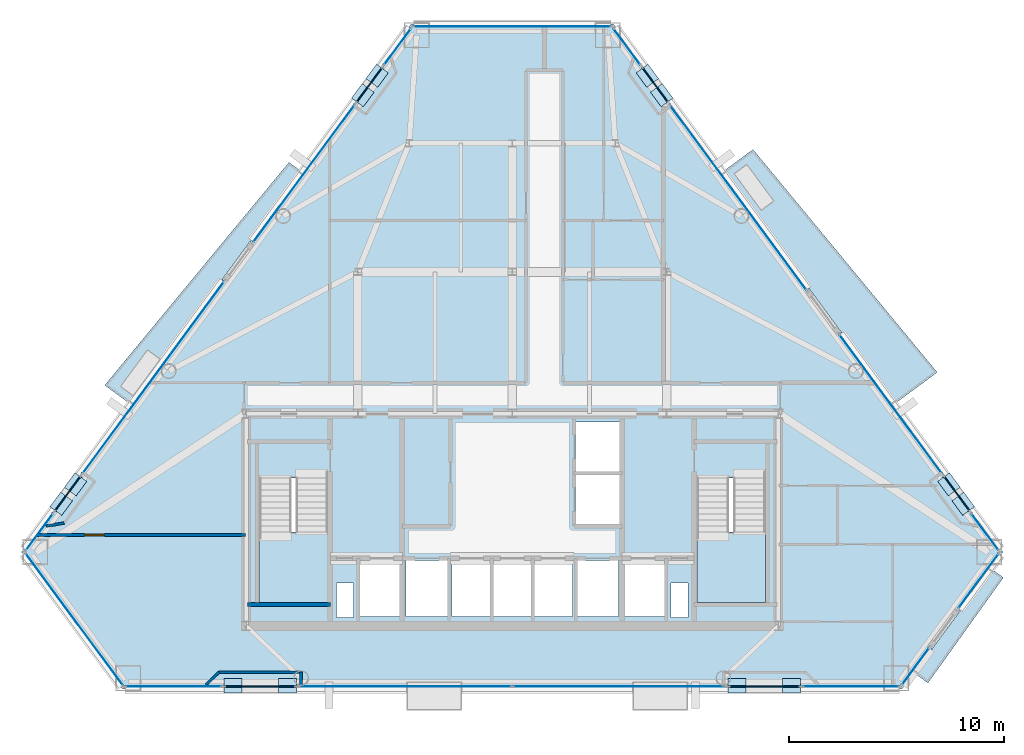
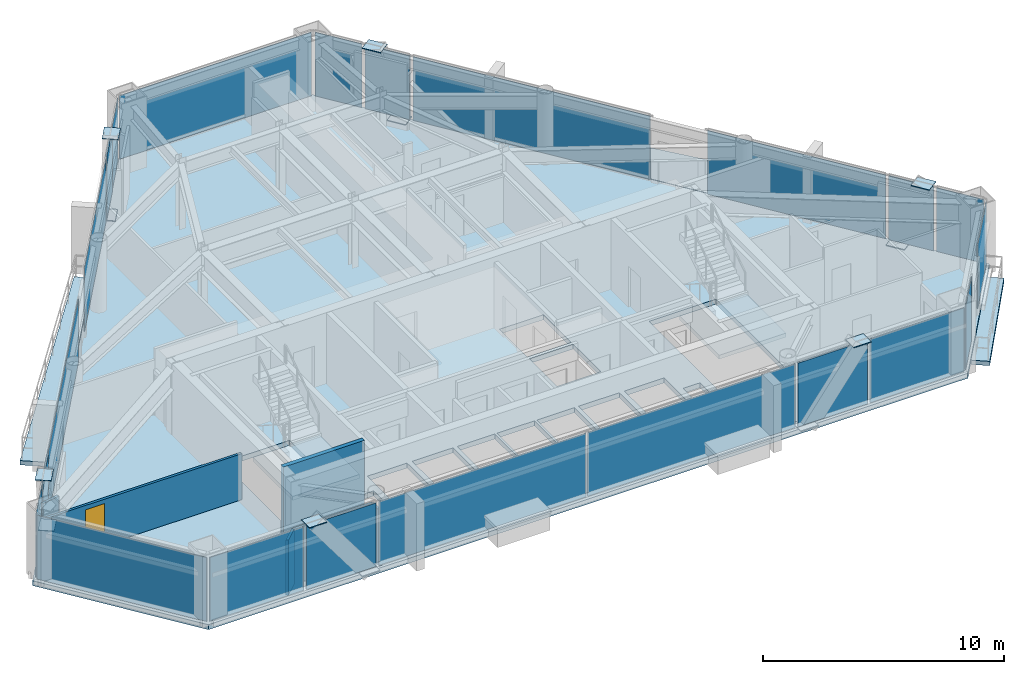
# One storey, part 6 of 11: 34 plates, 6 slabs, 6 walls, 1 door, 1 opening, 23 elements without a shape of their own.
"""IFC4 building model written with IfcOpenShell, lengths in metres."""

import ifcopenshell
import ifcopenshell.guid

model = None  # the IFC model being written
_history = None  # IfcOwnerHistory: only IFC2X3 demands one
_inside = {}  # id of a spatial element -> (the spatial element, [elements in it])
_under = {}  # id of a project, library or spatial element -> (it, [spatial elements below it])
_declared = {}  # id of a project -> (the project, [libraries it declares])
_typed = {}  # id of a type object -> (the type object, [elements of that type])
_made_of = {}  # id of a material, layer set ... -> (it, [elements and type objects made of it])


def new_model(schema):
    """Start an empty IFC model of exactly this schema.

    Asked for "IFC4X3", IfcOpenShell would pick the latest addendum, in which some entities
    have other attributes; the version numbers below select the first issue.
    IFC2X3 requires an IfcOwnerHistory on every rooted entity: one is made here for all.
    """
    global model, _history
    if schema == "IFC4X3":
        model = ifcopenshell.file(schema_version=(4, 3, 0, 0))
    else:
        model = ifcopenshell.file(schema=schema)
    _inside.clear()
    _under.clear()
    _declared.clear()
    _typed.clear()
    _made_of.clear()
    _history = None
    if model.schema == "IFC2X3":
        org = make("IfcOrganization", Name="unknown")
        user = make(
            "IfcPersonAndOrganization",
            ThePerson=make("IfcPerson", FamilyName="unknown"),
            TheOrganization=org,
        )
        app = make(
            "IfcApplication",
            ApplicationDeveloper=org,
            Version="unknown",
            ApplicationFullName="unknown",
            ApplicationIdentifier="unknown",
        )
        _history = make(
            "IfcOwnerHistory",
            OwningUser=user,
            OwningApplication=app,
            ChangeAction="ADDED",
            CreationDate=0,
        )
    return model


def make(cls, **values):
    """One entity of the class cls with the attributes given. An attribute that is None is left unset."""
    return model.create_entity(
        cls, **{name: value for name, value in values.items() if value is not None}
    )


def rooted(cls, **values):
    """An entity with a GlobalId (a new one), such as an element, a storey or a relation."""
    return make(cls, GlobalId=ifcopenshell.guid.new(), OwnerHistory=_history, **values)


def si_unit(unit_type, name, prefix=None):
    """IfcSIUnit, for example si_unit("LENGTHUNIT", "METRE", prefix="MILLI")."""
    return make("IfcSIUnit", UnitType=unit_type, Prefix=prefix, Name=name)


def assignment(units):
    """IfcUnitAssignment: the units of a project."""
    return None if units is None else make("IfcUnitAssignment", Units=units)


def point(xyz):
    """IfcCartesianPoint."""
    return None if xyz is None else make("IfcCartesianPoint", Coordinates=xyz)


def direction(xyz):
    """IfcDirection."""
    return None if xyz is None else make("IfcDirection", DirectionRatios=xyz)


def frame(location, z_axis=None, x_axis=None):
    """IfcAxis2Placement3D, a coordinate frame: its origin and axes. An axis left out is left unset."""
    return make(
        "IfcAxis2Placement3D",
        Location=point(location),
        Axis=direction(z_axis),
        RefDirection=direction(x_axis),
    )


def frame_2d(location, x_axis=None):
    """IfcAxis2Placement2D, a coordinate frame in the plane: its origin and x axis."""
    return make(
        "IfcAxis2Placement2D", Location=point(location), RefDirection=direction(x_axis)
    )


def origin():
    """The frame at (0, 0, 0) with its axes left unset."""
    return frame((0.0, 0.0, 0.0))


def origin_2d():
    """The frame at (0, 0) in the plane with its x axis left unset."""
    return frame_2d((0.0, 0.0))


def place(relative_to, where):
    """IfcLocalPlacement: puts the frame where relative to a parent placement (None: the world)."""
    return make(
        "IfcLocalPlacement", PlacementRelTo=relative_to, RelativePlacement=where
    )


def context(
    kind, dimensions, precision=None, world=None, true_north=None, identifier=None
):
    """IfcGeometricRepresentationContext, for example the 3D "Model" context."""
    return make(
        "IfcGeometricRepresentationContext",
        ContextIdentifier=identifier,
        ContextType=kind,
        CoordinateSpaceDimension=dimensions,
        Precision=precision,
        WorldCoordinateSystem=world,
        TrueNorth=true_north,
    )


def subcontext(parent, identifier, kind, view, scale=None):
    """IfcGeometricRepresentationSubContext, for example "Body" below "Model"."""
    return make(
        "IfcGeometricRepresentationSubContext",
        ContextIdentifier=identifier,
        ContextType=kind,
        ParentContext=parent,
        TargetScale=scale,
        TargetView=view,
    )


def project(units=None, contexts=None):
    """IfcProject with its units and contexts."""
    return rooted(
        "IfcProject",
        Name="project",
        RepresentationContexts=contexts,
        UnitsInContext=assignment(units),
    )


def spatial(cls, under=None, at=None, **own):
    """A site, building, storey or space (cls), placed at a placement, below another one or the project."""
    s = rooted(cls, ObjectPlacement=at, **own)
    if under is not None:
        _under.setdefault(under.id(), (under, []))[1].append(s)
    return s


def polyline(points):
    """IfcPolyline through the points."""
    return make("IfcPolyline", Points=[point(p) for p in points])


def profile(cls, at=None, kind="AREA", **sizes):
    """A parametric profile (cls). Its sizes go by their IFC names, for example OverallWidth=200.0."""
    return make(cls, ProfileType=kind, Position=at, **sizes)


def rectangle(**sizes):
    """IfcRectangleProfileDef."""
    return profile("IfcRectangleProfileDef", **sizes)


def outline(outer, holes=None, kind="AREA"):
    """IfcArbitraryClosedProfileDef: a profile drawn as a closed curve; with holes, ...WithVoids."""
    if holes is None:
        return make("IfcArbitraryClosedProfileDef", ProfileType=kind, OuterCurve=outer)
    return make(
        "IfcArbitraryProfileDefWithVoids",
        ProfileType=kind,
        OuterCurve=outer,
        InnerCurves=holes,
    )


def extrude(swept, where, along, depth):
    """IfcExtrudedAreaSolid: the profile swept, set in the frame where, extruded along a direction by depth."""
    return make(
        "IfcExtrudedAreaSolid",
        SweptArea=swept,
        Position=where,
        ExtrudedDirection=direction(along),
        Depth=depth,
    )


def shape(context_of_items, identifier, shape_type, items):
    """IfcShapeRepresentation: the items that make up one representation, for example the "Body"."""
    return make(
        "IfcShapeRepresentation",
        ContextOfItems=context_of_items,
        RepresentationIdentifier=identifier,
        RepresentationType=shape_type,
        Items=items,
    )


def source(mapping_origin, context_of_items, identifier, shape_type, items):
    """IfcRepresentationMap: a shape defined once, which mapped items show again and again."""
    return make(
        "IfcRepresentationMap",
        MappingOrigin=mapping_origin,
        MappedRepresentation=shape(context_of_items, identifier, shape_type, items),
    )


def transform(
    local_origin,
    x_axis=None,
    y_axis=None,
    z_axis=None,
    scale=None,
    scale2=None,
    scale3=None,
    uniform=True,
):
    """IfcCartesianTransformationOperator3D, or its non-uniform kind. x_axis, y_axis, z_axis: its Axis1, 2, 3."""
    if uniform:
        return make(
            "IfcCartesianTransformationOperator3D",
            Axis1=direction(x_axis),
            Axis2=direction(y_axis),
            LocalOrigin=point(local_origin),
            Scale=scale,
            Axis3=direction(z_axis),
        )
    return make(
        "IfcCartesianTransformationOperator3DnonUniform",
        Axis1=direction(x_axis),
        Axis2=direction(y_axis),
        LocalOrigin=point(local_origin),
        Scale=scale,
        Axis3=direction(z_axis),
        Scale2=scale2,
        Scale3=scale3,
    )


def mapped(mapping_source, mapping_target):
    """IfcMappedItem: shows the shape of a source again, moved by a transform."""
    return make(
        "IfcMappedItem", MappingSource=mapping_source, MappingTarget=mapping_target
    )


def material(Name=None, Category=None):
    """IfcMaterial."""
    return make("IfcMaterial", Name=Name, Category=Category)


def layer(
    of_material, thickness, ventilated=None, Name=None, Category=None, Priority=None
):
    """IfcMaterialLayer: one layer of a wall or slab, of a material (None: an air gap)."""
    return make(
        "IfcMaterialLayer",
        Material=of_material,
        LayerThickness=thickness,
        IsVentilated=ventilated,
        Name=Name,
        Category=Category,
        Priority=Priority,
    )


def layer_set(layers, Name=None):
    """IfcMaterialLayerSet."""
    return make("IfcMaterialLayerSet", MaterialLayers=layers, LayerSetName=Name)


def made_of(thing, what):
    """Note that an element or type object is made of a material, layer set ...; save() writes the relation."""
    if what is not None:
        _made_of.setdefault(what.id(), (what, []))[1].append(thing)
    return thing


def type_object(cls, material=None, **own):
    """A type object (cls), such as IfcWallType, which elements share."""
    return made_of(rooted(cls, **own), material)


def type_shapes(of_type, sources):
    """Give a type object the sources (RepresentationMaps) that its elements show as mapped items."""
    of_type.RepresentationMaps = sources


def element(
    cls,
    number,
    at=None,
    inside=None,
    cuts=None,
    type_object=None,
    material=None,
    context=None,
    identifier="Body",
    shape_type=None,
    held_by="IfcProductDefinitionShape",
    body=None,
    shapes=None,
    **own,
):
    """One element of the class cls, such as IfcWall. Its Tag is "e" and its number.

    at: its placement. inside: the storey or other place that contains it. cuts: it is an
    opening in that element (IfcRelVoidsElement). A single representation is given by context,
    identifier, shape_type and body (its items); several are given by shapes. held_by: the class
    of the entity that holds the representations. save() writes the other relations.
    """
    e = rooted(cls, Tag="e%d" % number, ObjectPlacement=at, **own)
    if body is not None:
        shapes = [shape(context, identifier, shape_type, body)]
    if shapes is not None:
        e.Representation = make(held_by, Representations=shapes)
    if inside is not None:
        _inside.setdefault(inside.id(), (inside, []))[1].append(e)
    if cuts is not None:
        rooted(
            "IfcRelVoidsElement", RelatingBuildingElement=cuts, RelatedOpeningElement=e
        )
    if type_object is not None:
        _typed.setdefault(type_object.id(), (type_object, []))[1].append(e)
    return made_of(e, material)


def fill(opening, filler):
    """IfcRelFillsElement: the door or window that sits in an opening."""
    return rooted(
        "IfcRelFillsElement",
        RelatingOpeningElement=opening,
        RelatedBuildingElement=filler,
    )


def aggregate(whole, parts):
    """IfcRelAggregates: a whole, such as a stair, and the parts it consists of."""
    return rooted("IfcRelAggregates", RelatingObject=whole, RelatedObjects=parts)


def save(model, path):
    """Write the relations noted so far, then the file.

    IfcRelAggregates (storeys below a building ...), IfcRelContainedInSpatialStructure (elements
    in a storey), IfcRelDefinesByType, IfcRelAssociatesMaterial and IfcRelDeclares: one each for
    every whole, place, type object, material and project.
    """
    for whole, parts in _under.values():
        aggregate(whole, parts)
    for where, things in _inside.values():
        rooted(
            "IfcRelContainedInSpatialStructure",
            RelatedElements=things,
            RelatingStructure=where,
        )
    for kind, things in _typed.values():
        rooted("IfcRelDefinesByType", RelatedObjects=things, RelatingType=kind)
    for what, things in _made_of.values():
        rooted("IfcRelAssociatesMaterial", RelatedObjects=things, RelatingMaterial=what)
    for by, libraries in _declared.values():
        rooted("IfcRelDeclares", RelatingContext=by, RelatedDefinitions=libraries)
    model.write(path)


model = new_model("IFC4")

# Units and contexts
model_context = context("Model", 3, precision=1e-05, world=origin(), true_north=direction((0.0, 1.0)))
body_context = subcontext(model_context, "Body", "Model", "MODEL_VIEW")
ifc_project = project(units=[si_unit("LENGTHUNIT", "METRE"), si_unit("AREAUNIT", "SQUARE_METRE"), si_unit("VOLUMEUNIT", "CUBIC_METRE"), si_unit("PLANEANGLEUNIT", "RADIAN"), si_unit("MASSUNIT", "GRAM", prefix="KILO")], contexts=[model_context])

# Site, building, storey
site_placement = place(None, origin())
site = spatial("IfcSite", under=ifc_project, at=site_placement, CompositionType="ELEMENT")
building_placement = place(site_placement, origin())
building = spatial("IfcBuilding", under=site, at=building_placement, Name="Talgorran Terracotta Tower", CompositionType="ELEMENT")
storey_placement = place(building_placement, frame((0.0, 0.0, 161.699951171875)))
storey = spatial("IfcBuildingStorey", under=building, at=storey_placement, Name="L42", CompositionType="ELEMENT", Elevation=161.699951171875)

# Plates
ifc_material_1 = material(Name="Steel Grade 350 (350L0)", Category="steel")
ifc_layer_1 = layer(ifc_material_1, 0.035888671875, Name="PL_CAP_MN06")
ifc_layer_set_1 = layer_set([ifc_layer_1], Name="Steel Grade 350 (350L0)")
plate_type_1 = type_object("IfcPlateType", Name="PL_CAP_MN06", PredefinedType="USERDEFINED", material=ifc_layer_set_1)
for number, where, z_axis, x_axis, name in (
    (1, (-10.486328125, -16.889892578125, -0.0078125), (0.0, 0.0, 1.0), (-1.0, 0.0, 0.0), "L42 Diagonal Frame End Cap SWF Bot"),
    (2, (-13.017578125, -16.889892578125, 3.322265625), (0.0, 0.0, 1.0), (-1.0, 0.0, 0.0), "L42 Diagonal Frame End Cap SWF Top"),
    (3, (10.486328125, -16.889892578125, -0.0078125), (0.0, 0.0, 1.0), (1.0, 0.0, 0.0), "L42 Diagonal Frame End Cap SEF Bot"),
    (4, (13.017578125, -16.889892578125, 3.322265625), (0.0, 0.0, 1.0), (1.0, 0.0, 0.0), "L42 Diagonal Frame End Cap SEF Top"),
    (5, (20.35400390625, -7.500732421875, -0.0078125), (0.0, 0.0, 1.0), (0.593840246647, -0.804582973635, 0.0), "L42 Diagonal Frame End Cap NEL Bot"),
    (6, (21.021484375, -8.4052734375, 3.322265625), (0.0, 0.0, 1.0), (0.593840246647, -0.804582973635, 0.0), "L42 Diagonal Frame End Cap NEL Top"),
    (7, (6.96630859375, 10.640625, -0.0078125), (0.0, 0.0, 1.0), (-0.593840246647, 0.804582973635, 0.0), "L42 Diagonal Frame End Cap NEU Bot"),
    (8, (6.298583984375, 11.54541015625, 3.322265625), (0.0, 0.0, 1.0), (-0.593840246647, 0.804582973635, 0.0), "L42 Diagonal Frame End Cap NEU Top"),
    (9, (-6.96630859375, 10.640625, -0.0078125), (0.0, 0.0, 1.0), (0.593840246647, 0.804582973635, 0.0), "L42 Diagonal Frame End Cap NWU Bot"),
    (10, (-6.298583984375, 11.54541015625, 3.322265625), (0.0, 0.0, 1.0), (0.593840246647, 0.804582973635, 0.0), "L42 Diagonal Frame End Cap NWU Top"),
    (11, (-20.35400390625, -7.500732421875, -0.0078125), (0.0, 0.0, 1.0), (-0.593840246647, -0.804582973635, 0.0), "L42 Diagonal Frame End Cap NWL Bot"),
    (12, (-21.021484375, -8.4052734375, 3.322265625), (0.0, 0.0, 1.0), (-0.593840246647, -0.804582973635, 0.0), "L42 Diagonal Frame End Cap NWL Top"),
):
    element("IfcPlate", number, at=place(storey_placement, frame(where, z_axis=z_axis, x_axis=x_axis)), inside=storey, type_object=plate_type_1, Name=name, ObjectType="CAP PLATE", PredefinedType="USERDEFINED", context=body_context, shape_type="SweptSolid", body=[
        extrude(rectangle(XDim=0.840087890625, YDim=0.679931640625, at=origin_2d()), origin(), (0.0, 0.0, 1.0), 0.035888671875),
    ])

# Slabs
ifc_material_2 = material(Name="Concrete C40/50", Category="concrete")
ifc_layer_2 = layer(ifc_material_2, 0.219970703125, Name="SL_BALCONY_220")
ifc_layer_set_2 = layer_set([ifc_layer_2], Name="Concrete C40/50")
slab_type_1 = type_object("IfcSlabType", Name="SL_BALCONY_220", PredefinedType="FLOOR", material=ifc_layer_set_2)
slab_1_placement = place(storey_placement, frame((0.0, 0.0, -0.219970703125)))
element("IfcSlab", 13, at=slab_1_placement, inside=storey, type_object=slab_type_1, Name="L42 Outdoor Wave Balcony BAL-NE", PredefinedType="FLOOR", context=body_context, shape_type="SweptSolid", body=[
    extrude(outline(polyline([(9.816650390625, 7.072998046875), (17.8076171875, -3.755126953125), (19.80810546875, -2.27880859375), (11.22119140625, 8.109619140625), (9.816650390625, 7.072998046875)])), origin(), (0.0, 0.0, 1.0), 0.219970703125),
])
slab_2_placement = place(storey_placement, frame((0.0, 0.0, -0.219970703125)))
element("IfcSlab", 14, at=slab_2_placement, inside=storey, type_object=slab_type_1, Name="L42 Outdoor Wave Balcony BAL-NW", PredefinedType="FLOOR", context=body_context, shape_type="SweptSolid", body=[
    extrude(outline(polyline([(-17.8076171875, -3.755126953125), (-9.816650390625, 7.072998046875), (-10.406982421875, 7.508544921875), (-18.99365234375, -2.879638671875), (-17.8076171875, -3.755126953125)])), origin(), (0.0, 0.0, 1.0), 0.219970703125),
])
slab_3_placement = place(storey_placement, frame((0.0, 0.0, -0.219970703125)))
element("IfcSlab", 15, at=slab_3_placement, inside=storey, type_object=slab_type_1, Name="L42 Outdoor Wave Balcony BAL-SE", PredefinedType="FLOOR", context=body_context, shape_type="SweptSolid", body=[
    extrude(outline(polyline([(22.326171875, -11.430908203125), (18.7392578125, -16.29150390625), (19.3740234375, -16.760009765625), (22.889892578125, -11.846923828125), (22.326171875, -11.430908203125)])), origin(), (0.0, 0.0, 1.0), 0.219970703125),
])

# Stair, slab
stair_type = type_object("IfcStairType", Name="ST_FIRE_SCISSOR", PredefinedType="HALF_TURN_STAIR", material=ifc_material_2)
stair_1_placement = place(storey_placement, origin())
stair_1 = element("IfcStair", 16, at=stair_1_placement, inside=storey, type_object=stair_type, Name="L42 West Protected Fire Stair ST-01", PredefinedType="HALF_TURN_STAIR")
ifc_layer_3 = layer(ifc_material_2, 0.199951171875, Name="SL_LANDING_200")
ifc_layer_set_3 = layer_set([ifc_layer_3], Name="Concrete C40/50")
slab_type_2 = type_object("IfcSlabType", Name="SL_LANDING_200", PredefinedType="LANDING", material=ifc_layer_set_3)
slab_4_placement = place(storey_placement, frame((0.0, 0.0, 1.60009765625)))
slab_4 = element("IfcSlab", 17, at=slab_4_placement, type_object=slab_type_2, Name="ST-01 landing 1", PredefinedType="LANDING", context=body_context, shape_type="SweptSolid", body=[
    extrude(outline(polyline([(-11.800048828125, -9.719970703125), (-11.800048828125, -13.0), (-8.60009765625, -13.0), (-8.60009765625, -9.719970703125), (-11.800048828125, -9.719970703125)])), origin(), (0.0, 0.0, 1.0), 0.199951171875),
])
aggregate(stair_1, [slab_4])

stair_2_placement = place(storey_placement, origin())
stair_2 = element("IfcStair", 18, at=stair_2_placement, inside=storey, type_object=stair_type, Name="L42 East Protected Fire Stair ST-02", PredefinedType="HALF_TURN_STAIR")
slab_5_placement = place(storey_placement, frame((0.0, 0.0, 1.60009765625)))
slab_5 = element("IfcSlab", 19, at=slab_5_placement, type_object=slab_type_2, Name="ST-02 landing 1", PredefinedType="LANDING", context=body_context, shape_type="SweptSolid", body=[
    extrude(outline(polyline([(8.60009765625, -9.719970703125), (8.60009765625, -13.0), (11.800048828125, -13.0), (11.800048828125, -9.719970703125), (8.60009765625, -9.719970703125)])), origin(), (0.0, 0.0, 1.0), 0.199951171875),
])
aggregate(stair_2, [slab_5])

# Slab
ifc_layer_4 = layer(ifc_material_2, 0.25, Name="SL_TOWER_250")
ifc_layer_set_4 = layer_set([ifc_layer_4], Name="Concrete C40/50")
slab_type_3 = type_object("IfcSlabType", Name="SL_TOWER_250", PredefinedType="FLOOR", material=ifc_layer_set_4)
slab_6_placement = place(storey_placement, frame((0.0, 0.0, -0.25)))
element("IfcSlab", 20, at=slab_6_placement, inside=storey, type_object=slab_type_3, Name="Storey L42 Structural Floor Slab", PredefinedType="FLOOR", context=body_context, shape_type="SweptSolid", body=[
    extrude(outline(polyline([(-22.88037109375, -10.654541015625), (-18.160888671875, -17.050048828125), (18.160888671875, -17.050048828125), (22.88037109375, -10.654541015625), (4.719482421875, 13.95458984375), (-4.719482421875, 13.95458984375), (-22.88037109375, -10.654541015625)]), holes=[polyline([(-11.800048828125, -7.199951171875), (-11.800048828125, -13.0), (-8.60009765625, -13.0), (-8.60009765625, -7.199951171875), (-11.800048828125, -7.199951171875)]), polyline([(8.60009765625, -7.199951171875), (8.60009765625, -13.0), (11.800048828125, -13.0), (11.800048828125, -7.199951171875), (8.60009765625, -7.199951171875)]), polyline([(-7.10009765625, -13.64990234375), (-5.199951171875, -13.64990234375), (-5.199951171875, -11.050048828125), (-7.10009765625, -11.050048828125), (-7.10009765625, -13.64990234375)]), polyline([(5.199951171875, -13.64990234375), (7.10009765625, -13.64990234375), (7.10009765625, -11.050048828125), (5.199951171875, -11.050048828125), (5.199951171875, -13.64990234375)]), polyline([(3.0, -13.64990234375), (4.949951171875, -13.64990234375), (4.949951171875, -11.050048828125), (3.0, -11.050048828125), (3.0, -13.64990234375)]), polyline([(-4.949951171875, -13.64990234375), (-3.0, -13.64990234375), (-3.0, -11.050048828125), (-4.949951171875, -11.050048828125), (-4.949951171875, -13.64990234375)]), polyline([(2.949951171875, -9.35009765625), (5.050048828125, -9.35009765625), (5.050048828125, -7.050048828125), (2.949951171875, -7.050048828125), (2.949951171875, -9.35009765625)]), polyline([(2.949951171875, -6.89990234375), (5.050048828125, -6.89990234375), (5.050048828125, -4.60009765625), (2.949951171875, -4.60009765625), (2.949951171875, -6.89990234375)]), polyline([(-2.800048828125, -13.64990234375), (-1.0, -13.64990234375), (-1.0, -11.050048828125), (-2.800048828125, -11.050048828125), (-2.800048828125, -13.64990234375)]), polyline([(-0.89990234375, -13.64990234375), (0.89990234375, -13.64990234375), (0.89990234375, -11.050048828125), (-0.89990234375, -11.050048828125), (-0.89990234375, -13.64990234375)]), polyline([(1.0, -13.64990234375), (2.800048828125, -13.64990234375), (2.800048828125, -11.050048828125), (1.0, -11.050048828125), (1.0, -13.64990234375)]), polyline([(-8.199951171875, -13.699951171875), (-7.39990234375, -13.699951171875), (-7.39990234375, -12.10009765625), (-8.199951171875, -12.10009765625), (-8.199951171875, -13.699951171875)]), polyline([(7.39990234375, -13.699951171875), (8.199951171875, -13.699951171875), (8.199951171875, -12.10009765625), (7.39990234375, -12.10009765625), (7.39990234375, -13.699951171875)])]), origin(), (0.0, 0.0, 1.0), 0.25),
])

# Curtain wall, plate
ifc_material_3 = material(Name="Unitised Low-E Double Glazing", Category="glass")
ifc_layer_5 = layer(ifc_material_3, 0.199951171875, Name="CW_SYS2_RES_LOW")
ifc_layer_set_5 = layer_set([ifc_layer_5], Name="Unitised Low-E Double Glazing")
curtain_wall_type = type_object("IfcCurtainWallType", Name="CW_SYS2_RES_LOW", PredefinedType="NOTDEFINED", material=ifc_layer_set_5)
curtain_wall_1_placement = place(storey_placement, origin())
curtain_wall_1 = element("IfcCurtainWall", 21, at=curtain_wall_1_placement, inside=storey, type_object=curtain_wall_type, Name="CW-L42-F1B", PredefinedType="NOTDEFINED")
ifc_material_4 = material(Name="Terracotta Insulated Spandrel", Category="masonry")
ifc_layer_6 = layer(ifc_material_4, 0.06494140625, Name="PLT_SPANDREL_TERRA")
ifc_layer_set_6 = layer_set([ifc_layer_6], Name="Terracotta Insulated Spandrel")
plate_type_2 = type_object("IfcPlateType", Name="PLT_SPANDREL_TERRA", PredefinedType="SHEET", material=ifc_layer_set_6)
shared_shape_1 = source(origin(), body_context, "Body", "SweptSolid", [
    extrude(rectangle(XDim=3.31689453125, YDim=0.06494140625, at=origin_2d()), origin(), (0.0, 0.0, 1.0), 3.219970703125),
])
plate_1_placement = place(storey_placement, frame((-11.751953125, -16.929931640625, 0.06494140625), z_axis=(0.0, 0.0, 1.0), x_axis=(1.0, 0.0, 0.0)))
plate_1 = element("IfcPlate", 22, at=plate_1_placement, type_object=plate_type_2, Name="CW-L42-1B panel 1.1", PredefinedType="CURTAIN_PANEL", context=body_context, shape_type="MappedRepresentation", body=[
    mapped(shared_shape_1, transform((0.0, 0.0, 0.0), scale=1.0)),
])
aggregate(curtain_wall_1, [plate_1])

curtain_wall_2_placement = place(storey_placement, origin())
curtain_wall_2 = element("IfcCurtainWall", 23, at=curtain_wall_2_placement, inside=storey, type_object=curtain_wall_type, Name="CW-L42-F1D", PredefinedType="NOTDEFINED")
plate_2_placement = place(storey_placement, frame((11.751953125, -16.929931640625, 0.06494140625), z_axis=(0.0, 0.0, 1.0), x_axis=(1.0, 0.0, 0.0)))
plate_2 = element("IfcPlate", 24, at=plate_2_placement, type_object=plate_type_2, Name="CW-L42-1D panel 1.1", PredefinedType="CURTAIN_PANEL", context=body_context, shape_type="MappedRepresentation", body=[
    mapped(shared_shape_1, transform((0.0, 0.0, 0.0), scale=1.0)),
])
aggregate(curtain_wall_2, [plate_2])

curtain_wall_3_placement = place(storey_placement, origin())
curtain_wall_3 = element("IfcCurtainWall", 25, at=curtain_wall_3_placement, inside=storey, type_object=curtain_wall_type, Name="CW-L42-F0", PredefinedType="NOTDEFINED")
ifc_material_5 = material(Name="Low-E Laminated Vision Glass", Category="glass")
ifc_layer_7 = layer(ifc_material_5, 0.028076171875, Name="PLT_VISION_28")
ifc_layer_set_7 = layer_set([ifc_layer_7], Name="Low-E Laminated Vision Glass")
plate_type_3 = type_object("IfcPlateType", Name="PLT_VISION_28", PredefinedType="CURTAIN_PANEL", material=ifc_layer_set_7)
shared_shape_2 = source(origin(), body_context, "Body", "SweptSolid", [
    extrude(rectangle(XDim=7.669189453125, YDim=0.028076171875, at=origin_2d()), origin(), (0.0, 0.0, 1.0), 3.219970703125),
])
plate_3_placement = place(storey_placement, frame((-20.415771484375, -13.792236328125, 0.06494140625), z_axis=(0.0, 0.0, 1.0), x_axis=(0.593790637498, -0.804619586401, 0.0)))
plate_3 = element("IfcPlate", 26, at=plate_3_placement, type_object=plate_type_3, Name="CW-L42-0 panel 1.1", PredefinedType="CURTAIN_PANEL", context=body_context, shape_type="MappedRepresentation", body=[
    mapped(shared_shape_2, transform((0.0, 0.0, 0.0), scale=1.0)),
])
aggregate(curtain_wall_3, [plate_3])

curtain_wall_4_placement = place(storey_placement, origin())
curtain_wall_4 = element("IfcCurtainWall", 27, at=curtain_wall_4_placement, inside=storey, type_object=curtain_wall_type, Name="CW-L42-F40B", PredefinedType="NOTDEFINED")
shared_shape_3 = source(origin(), body_context, "Body", "SweptSolid", [
    extrude(rectangle(XDim=2.02490234375, YDim=0.06494140625, at=origin_2d()), origin(), (0.0, 0.0, 1.0), 3.219970703125),
])
type_shapes(plate_type_2, [shared_shape_1, shared_shape_3])
plate_4_placement = place(storey_placement, frame((20.719970703125, -7.92919921875, 0.06494140625), z_axis=(0.0, 0.0, 1.0), x_axis=(-0.593789350545, 0.804620536141, 0.0)))
plate_4 = element("IfcPlate", 28, at=plate_4_placement, type_object=plate_type_2, Name="CW-L42-40B panel 1.1", PredefinedType="CURTAIN_PANEL", context=body_context, shape_type="MappedRepresentation", body=[
    mapped(shared_shape_3, transform((0.0, 0.0, 0.0), scale=1.0)),
])
aggregate(curtain_wall_4, [plate_4])

curtain_wall_5_placement = place(storey_placement, origin())
curtain_wall_5 = element("IfcCurtainWall", 29, at=curtain_wall_5_placement, inside=storey, type_object=curtain_wall_type, Name="CW-L42-F41B", PredefinedType="NOTDEFINED")
plate_5_placement = place(storey_placement, frame((6.664794921875, 11.11669921875, 0.06494140625), z_axis=(0.0, 0.0, 1.0), x_axis=(-0.593797222616, 0.804614726694, 0.0)))
plate_5 = element("IfcPlate", 30, at=plate_5_placement, type_object=plate_type_2, Name="CW-L42-41B panel 1.1", PredefinedType="CURTAIN_PANEL", context=body_context, shape_type="MappedRepresentation", body=[
    mapped(shared_shape_3, transform((0.0, 0.0, 0.0), scale=1.0)),
])
aggregate(curtain_wall_5, [plate_5])

curtain_wall_6_placement = place(storey_placement, origin())
curtain_wall_6 = element("IfcCurtainWall", 31, at=curtain_wall_6_placement, inside=storey, type_object=curtain_wall_type, Name="CW-L42-F60B", PredefinedType="NOTDEFINED")
plate_6_placement = place(storey_placement, frame((-6.664794921875, 11.11669921875, 0.06494140625), z_axis=(0.0, 0.0, 1.0), x_axis=(-0.593797222616, -0.804614726694, 0.0)))
plate_6 = element("IfcPlate", 32, at=plate_6_placement, type_object=plate_type_2, Name="CW-L42-60B panel 1.1", PredefinedType="CURTAIN_PANEL", context=body_context, shape_type="MappedRepresentation", body=[
    mapped(shared_shape_3, transform((0.0, 0.0, 0.0), scale=1.0)),
])
aggregate(curtain_wall_6, [plate_6])

curtain_wall_7_placement = place(storey_placement, origin())
curtain_wall_7 = element("IfcCurtainWall", 33, at=curtain_wall_7_placement, inside=storey, type_object=curtain_wall_type, Name="CW-L42-F61B", PredefinedType="NOTDEFINED")
plate_7_placement = place(storey_placement, frame((-20.719970703125, -7.92919921875, 0.06494140625), z_axis=(0.0, 0.0, 1.0), x_axis=(-0.593789350545, -0.804620536141, 0.0)))
plate_7 = element("IfcPlate", 34, at=plate_7_placement, type_object=plate_type_2, Name="CW-L42-61B panel 1.1", PredefinedType="CURTAIN_PANEL", context=body_context, shape_type="MappedRepresentation", body=[
    mapped(shared_shape_3, transform((0.0, 0.0, 0.0), scale=1.0)),
])
aggregate(curtain_wall_7, [plate_7])

curtain_wall_8_placement = place(storey_placement, origin())
curtain_wall_8 = element("IfcCurtainWall", 35, at=curtain_wall_8_placement, inside=storey, type_object=curtain_wall_type, Name="CW-L42-F4", PredefinedType="NOTDEFINED")
shared_shape_4 = source(origin(), body_context, "Body", "SweptSolid", [
    extrude(rectangle(XDim=9.18798828125, YDim=0.028076171875, at=origin_2d()), origin(), (0.0, 0.0, 1.0), 3.219970703125),
])
plate_8_placement = place(storey_placement, frame((0.0, 13.834716796875, 0.06494140625), z_axis=(0.0, 0.0, 1.0), x_axis=(-1.0, 0.0, 0.0)))
plate_8 = element("IfcPlate", 36, at=plate_8_placement, type_object=plate_type_3, Name="CW-L42-4 panel 1.1", PredefinedType="CURTAIN_PANEL", context=body_context, shape_type="MappedRepresentation", body=[
    mapped(shared_shape_4, transform((0.0, 0.0, 0.0), scale=1.0)),
])
aggregate(curtain_wall_8, [plate_8])

curtain_wall_9_placement = place(storey_placement, origin())
curtain_wall_9 = element("IfcCurtainWall", 37, at=curtain_wall_9_placement, inside=storey, type_object=curtain_wall_type, Name="CW-L42-F1", PredefinedType="NOTDEFINED")
shared_shape_5 = source(origin(), body_context, "Body", "SweptSolid", [
    extrude(rectangle(XDim=4.48486328125, YDim=0.028076171875, at=origin_2d()), origin(), (0.0, 0.0, 1.0), 3.219970703125),
])
plate_9_placement = place(storey_placement, frame((-15.792724609375, -16.929931640625, 0.06494140625), z_axis=(0.0, 0.0, 1.0), x_axis=(1.0, 0.0, 0.0)))
plate_9 = element("IfcPlate", 38, at=plate_9_placement, type_object=plate_type_3, Name="CW-L42-1 panel 1.1", PredefinedType="CURTAIN_PANEL", context=body_context, shape_type="MappedRepresentation", body=[
    mapped(shared_shape_5, transform((0.0, 0.0, 0.0), scale=1.0)),
])
aggregate(curtain_wall_9, [plate_9])

curtain_wall_10_placement = place(storey_placement, origin())
curtain_wall_10 = element("IfcCurtainWall", 39, at=curtain_wall_10_placement, inside=storey, type_object=curtain_wall_type, Name="CW-L42-F1E", PredefinedType="NOTDEFINED")
plate_10_placement = place(storey_placement, frame((15.792724609375, -16.929931640625, 0.06494140625), z_axis=(0.0, 0.0, 1.0), x_axis=(1.0, 0.0, 0.0)))
plate_10 = element("IfcPlate", 40, at=plate_10_placement, type_object=plate_type_3, Name="CW-L42-1E panel 1.1", PredefinedType="CURTAIN_PANEL", context=body_context, shape_type="MappedRepresentation", body=[
    mapped(shared_shape_5, transform((0.0, 0.0, 0.0), scale=1.0)),
])
aggregate(curtain_wall_10, [plate_10])

# Curtain wall, plates
curtain_wall_11_placement = place(storey_placement, origin())
curtain_wall_11 = element("IfcCurtainWall", 41, at=curtain_wall_11_placement, inside=storey, type_object=curtain_wall_type, Name="CW-L42-F1C", PredefinedType="NOTDEFINED")
shared_shape_6 = source(origin(), body_context, "Body", "SweptSolid", [
    extrude(rectangle(XDim=9.921142578125, YDim=0.028076171875, at=origin_2d()), origin(), (0.0, 0.0, 1.0), 3.219970703125),
])
plate_11_placement = place(storey_placement, frame((-4.9931640625, -16.929931640625, 0.06494140625), z_axis=(0.0, 0.0, 1.0), x_axis=(1.0, 0.0, 0.0)))
plate_11 = element("IfcPlate", 42, at=plate_11_placement, type_object=plate_type_3, Name="CW-L42-1C panel 1.1", PredefinedType="CURTAIN_PANEL", context=body_context, shape_type="MappedRepresentation", body=[
    mapped(shared_shape_6, transform((0.0, 0.0, 0.0), scale=1.0)),
])
plate_12_placement = place(storey_placement, frame((4.9931640625, -16.929931640625, 0.06494140625), z_axis=(0.0, 0.0, 1.0), x_axis=(1.0, 0.0, 0.0)))
plate_12 = element("IfcPlate", 43, at=plate_12_placement, type_object=plate_type_3, Name="CW-L42-1C panel 2.1", PredefinedType="CURTAIN_PANEL", context=body_context, shape_type="MappedRepresentation", body=[
    mapped(shared_shape_6, transform((0.0, 0.0, 0.0), scale=1.0)),
])
aggregate(curtain_wall_11, [plate_11, plate_12])

# Curtain wall, plate
curtain_wall_12_placement = place(storey_placement, origin())
curtain_wall_12 = element("IfcCurtainWall", 44, at=curtain_wall_12_placement, inside=storey, type_object=curtain_wall_type, Name="CW-L42-F30", PredefinedType="NOTDEFINED")
shared_shape_7 = source(origin(), body_context, "Body", "SweptSolid", [
    extrude(rectangle(XDim=2.135009765625, YDim=0.028076171875, at=origin_2d()), origin(), (0.0, 0.0, 1.0), 3.219970703125),
])
plate_13_placement = place(storey_placement, frame((18.79638671875, -15.986572265625, 0.06494140625), z_axis=(0.0, 0.0, 1.0), x_axis=(0.593772678196, 0.80463283964, 0.0)))
plate_13 = element("IfcPlate", 45, at=plate_13_placement, type_object=plate_type_3, Name="CW-L42-30 panel 1.1", PredefinedType="CURTAIN_PANEL", context=body_context, shape_type="MappedRepresentation", body=[
    mapped(shared_shape_7, transform((0.0, 0.0, 0.0), scale=1.0)),
])
aggregate(curtain_wall_12, [plate_13])

curtain_wall_13_placement = place(storey_placement, origin())
curtain_wall_13 = element("IfcCurtainWall", 46, at=curtain_wall_13_placement, inside=storey, type_object=curtain_wall_type, Name="CW-L42-F31", PredefinedType="NOTDEFINED")
shared_shape_8 = source(origin(), body_context, "Body", "SweptSolid", [
    extrude(rectangle(XDim=3.1640625, YDim=0.028076171875, at=origin_2d()), origin(), (0.0, 0.0, 1.0), 3.219970703125),
])
plate_14_placement = place(storey_placement, frame((21.7294921875, -12.011962890625, 0.06494140625), z_axis=(0.0, 0.0, 1.0), x_axis=(0.593789129504, 0.804620699263, 0.0)))
plate_14 = element("IfcPlate", 47, at=plate_14_placement, type_object=plate_type_3, Name="CW-L42-31 panel 1.1", PredefinedType="CURTAIN_PANEL", context=body_context, shape_type="MappedRepresentation", body=[
    mapped(shared_shape_8, transform((0.0, 0.0, 0.0), scale=1.0)),
])
aggregate(curtain_wall_13, [plate_14])

curtain_wall_14_placement = place(storey_placement, origin())
curtain_wall_14 = element("IfcCurtainWall", 48, at=curtain_wall_14_placement, inside=storey, type_object=curtain_wall_type, Name="CW-L42-F40", PredefinedType="NOTDEFINED")
shared_shape_9 = source(origin(), body_context, "Body", "SweptSolid", [
    extrude(rectangle(XDim=2.129638671875, YDim=0.028076171875, at=origin_2d()), origin(), (0.0, 0.0, 1.0), 3.219970703125),
])
plate_15_placement = place(storey_placement, frame((22.03662109375, -9.71337890625, 0.06494140625), z_axis=(0.0, 0.0, 1.0), x_axis=(-0.593793637022, 0.804617372813, 0.0)))
plate_15 = element("IfcPlate", 49, at=plate_15_placement, type_object=plate_type_3, Name="CW-L42-40 panel 1.1", PredefinedType="CURTAIN_PANEL", context=body_context, shape_type="MappedRepresentation", body=[
    mapped(shared_shape_9, transform((0.0, 0.0, 0.0), scale=1.0)),
])
aggregate(curtain_wall_14, [plate_15])

curtain_wall_15_placement = place(storey_placement, origin())
curtain_wall_15 = element("IfcCurtainWall", 50, at=curtain_wall_15_placement, inside=storey, type_object=curtain_wall_type, Name="CW-L42-F61C", PredefinedType="NOTDEFINED")
plate_16_placement = place(storey_placement, frame((-22.03662109375, -9.71337890625, 0.06494140625), z_axis=(0.0, 0.0, 1.0), x_axis=(-0.593793637022, -0.804617372813, 0.0)))
plate_16 = element("IfcPlate", 51, at=plate_16_placement, type_object=plate_type_3, Name="CW-L42-61C panel 1.1", PredefinedType="CURTAIN_PANEL", context=body_context, shape_type="MappedRepresentation", body=[
    mapped(shared_shape_9, transform((0.0, 0.0, 0.0), scale=1.0)),
])
aggregate(curtain_wall_15, [plate_16])

curtain_wall_16_placement = place(storey_placement, origin())
curtain_wall_16 = element("IfcCurtainWall", 52, at=curtain_wall_16_placement, inside=storey, type_object=curtain_wall_type, Name="CW-L42-F40C", PredefinedType="NOTDEFINED")
shared_shape_10 = source(origin(), body_context, "Body", "SweptSolid", [
    extrude(rectangle(XDim=8.054443359375, YDim=0.028076171875, at=origin_2d()), origin(), (0.0, 0.0, 1.0), 3.219970703125),
])
plate_17_placement = place(storey_placement, frame((17.644287109375, -3.76171875, 0.06494140625), z_axis=(0.0, 0.0, 1.0), x_axis=(-0.593784876642, 0.804623837747, 0.0)))
plate_17 = element("IfcPlate", 53, at=plate_17_placement, type_object=plate_type_3, Name="CW-L42-40C panel 1.1", PredefinedType="CURTAIN_PANEL", context=body_context, shape_type="MappedRepresentation", body=[
    mapped(shared_shape_10, transform((0.0, 0.0, 0.0), scale=1.0)),
])
aggregate(curtain_wall_16, [plate_17])

curtain_wall_17_placement = place(storey_placement, origin())
curtain_wall_17 = element("IfcCurtainWall", 54, at=curtain_wall_17_placement, inside=storey, type_object=curtain_wall_type, Name="CW-L42-F41", PredefinedType="NOTDEFINED")
shared_shape_11 = source(origin(), body_context, "Body", "SweptSolid", [
    extrude(rectangle(XDim=10.721435546875, YDim=0.028076171875, at=origin_2d()), origin(), (0.0, 0.0, 1.0), 3.219970703125),
])
plate_18_placement = place(storey_placement, frame((10.531982421875, 5.876220703125, 0.06494140625), z_axis=(0.0, 0.0, 1.0), x_axis=(-0.593784827898, 0.804623873719, 0.0)))
plate_18 = element("IfcPlate", 55, at=plate_18_placement, type_object=plate_type_3, Name="CW-L42-41 panel 1.1", PredefinedType="CURTAIN_PANEL", context=body_context, shape_type="MappedRepresentation", body=[
    mapped(shared_shape_11, transform((0.0, 0.0, 0.0), scale=1.0)),
])
aggregate(curtain_wall_17, [plate_18])

curtain_wall_18_placement = place(storey_placement, origin())
curtain_wall_18 = element("IfcCurtainWall", 56, at=curtain_wall_18_placement, inside=storey, type_object=curtain_wall_type, Name="CW-L42-F41C", PredefinedType="NOTDEFINED")
shared_shape_12 = source(origin(), body_context, "Body", "SweptSolid", [
    extrude(rectangle(XDim=2.120361328125, YDim=0.028076171875, at=origin_2d()), origin(), (0.0, 0.0, 1.0), 3.219970703125),
])
plate_19_placement = place(storey_placement, frame((5.350830078125, 12.89697265625, 0.06494140625), z_axis=(0.0, 0.0, 1.0), x_axis=(-0.593774899327, 0.804631200569, 0.0)))
plate_19 = element("IfcPlate", 57, at=plate_19_placement, type_object=plate_type_3, Name="CW-L42-41C panel 1.1", PredefinedType="CURTAIN_PANEL", context=body_context, shape_type="MappedRepresentation", body=[
    mapped(shared_shape_12, transform((0.0, 0.0, 0.0), scale=1.0)),
])
aggregate(curtain_wall_18, [plate_19])

curtain_wall_19_placement = place(storey_placement, origin())
curtain_wall_19 = element("IfcCurtainWall", 58, at=curtain_wall_19_placement, inside=storey, type_object=curtain_wall_type, Name="CW-L42-F60", PredefinedType="NOTDEFINED")
plate_20_placement = place(storey_placement, frame((-5.350830078125, 12.89697265625, 0.06494140625), z_axis=(0.0, 0.0, 1.0), x_axis=(-0.593774899327, -0.804631200569, 0.0)))
plate_20 = element("IfcPlate", 59, at=plate_20_placement, type_object=plate_type_3, Name="CW-L42-60 panel 1.1", PredefinedType="CURTAIN_PANEL", context=body_context, shape_type="MappedRepresentation", body=[
    mapped(shared_shape_12, transform((0.0, 0.0, 0.0), scale=1.0)),
])
aggregate(curtain_wall_19, [plate_20])

curtain_wall_20_placement = place(storey_placement, origin())
curtain_wall_20 = element("IfcCurtainWall", 60, at=curtain_wall_20_placement, inside=storey, type_object=curtain_wall_type, Name="CW-L42-F60C", PredefinedType="NOTDEFINED")
shared_shape_13 = source(origin(), body_context, "Body", "SweptSolid", [
    extrude(rectangle(XDim=7.95166015625, YDim=0.028076171875, at=origin_2d()), origin(), (0.0, 0.0, 1.0), 3.219970703125),
])
plate_21_placement = place(storey_placement, frame((-9.709716796875, 6.990478515625, 0.06494140625), z_axis=(0.0, 0.0, 1.0), x_axis=(-0.593785162523, -0.804623626777, 0.0)))
plate_21 = element("IfcPlate", 61, at=plate_21_placement, type_object=plate_type_3, Name="CW-L42-60C panel 1.1", PredefinedType="CURTAIN_PANEL", context=body_context, shape_type="MappedRepresentation", body=[
    mapped(shared_shape_13, transform((0.0, 0.0, 0.0), scale=1.0)),
])
aggregate(curtain_wall_20, [plate_21])

curtain_wall_21_placement = place(storey_placement, origin())
curtain_wall_21 = element("IfcCurtainWall", 62, at=curtain_wall_21_placement, inside=storey, type_object=curtain_wall_type, Name="CW-L42-F61", PredefinedType="NOTDEFINED")
shared_shape_14 = source(origin(), body_context, "Body", "SweptSolid", [
    extrude(rectangle(XDim=11.12451171875, YDim=0.028076171875, at=origin_2d()), origin(), (0.0, 0.0, 1.0), 3.219970703125),
])
type_shapes(plate_type_3, [shared_shape_2, shared_shape_4, shared_shape_5, shared_shape_6, shared_shape_7, shared_shape_8, shared_shape_9, shared_shape_10, shared_shape_11, shared_shape_12, shared_shape_13, shared_shape_14])
plate_22_placement = place(storey_placement, frame((-16.73291015625, -2.526611328125, 0.06494140625), z_axis=(0.0, 0.0, 1.0), x_axis=(-0.59378354626, -0.804624819522, 0.0)))
plate_22 = element("IfcPlate", 63, at=plate_22_placement, type_object=plate_type_3, Name="CW-L42-61 panel 1.1", PredefinedType="CURTAIN_PANEL", context=body_context, shape_type="MappedRepresentation", body=[
    mapped(shared_shape_14, transform((0.0, 0.0, 0.0), scale=1.0)),
])
aggregate(curtain_wall_21, [plate_22])

# Wall
ifc_material_6 = material(Name="Concrete C50/60", Category="concrete")
ifc_layer_8 = layer(ifc_material_6, 0.199951171875, Name="WT_CORE_200")
ifc_layer_set_8 = layer_set([ifc_layer_8], Name="Concrete C50/60")
wall_type_1 = type_object("IfcWallType", Name="WT_CORE_200", PredefinedType="SOLIDWALL", material=ifc_layer_set_8)
wall_1_placement = place(storey_placement, frame((-12.35009765625, -13.10009765625, 0.0), z_axis=(0.0, 0.0, 1.0), x_axis=(1.0, 0.0, 0.0)))
element("IfcWall", 64, at=wall_1_placement, inside=storey, type_object=wall_type_1, Name="WL-L42-CW-ST1-S", PredefinedType="SOLIDWALL", context=body_context, shape_type="SweptSolid", body=[
    extrude(rectangle(XDim=3.8701171875, YDim=0.199951171875, at=frame_2d((1.93505859375, 0.0))), origin(), (0.0, 0.0, 1.0), 3.60009765625),
])

# Wall, opening, door
ifc_material_7 = material(Name="Insulated Steel Stud Plasterboard", Category="steel")
ifc_layer_9 = layer(ifc_material_7, 0.1201171875, Name="WT_PART_120")
ifc_layer_set_9 = layer_set([ifc_layer_9], Name="Insulated Steel Stud Plasterboard")
wall_type_2 = type_object("IfcWallType", Name="WT_PART_120", PredefinedType="PARTITIONING", material=ifc_layer_set_9)
wall_2_placement = place(storey_placement, frame((-22.14501953125, -9.860107421875, 0.0), z_axis=(0.0, 0.0, 1.0), x_axis=(1.0, 0.0, 0.0)))
wall_2 = element("IfcWall", 65, at=wall_2_placement, inside=storey, type_object=wall_type_2, Name="WL-L42-W-L42-R39", PredefinedType="PARTITIONING", context=body_context, shape_type="SweptSolid", body=[
    extrude(rectangle(XDim=9.705078125, YDim=0.1201171875, at=frame_2d((4.8525390625, 0.0))), origin(), (0.0, 0.0, 1.0), 2.324951171875),
])
opening_placement = place(wall_2_placement, frame((2.21630859375, 0.0, 0.0)))
opening = element("IfcOpeningElement", 66, at=opening_placement, cuts=wall_2, Name="Opening DR-L42-R14", PredefinedType="OPENING", context=body_context, shape_type="SweptSolid", body=[
    extrude(rectangle(XDim=0.925921875, YDim=2.10409765625, at=frame_2d((0.4599609375, 1.052001953125))), frame((0.0, 0.070068359375, 0.0), z_axis=(0.0, -1.0, 0.0), x_axis=(1.0, 0.0, 0.0)), (0.0, 0.0, 1.0), 0.14013671875),
])
ifc_material_8 = material(Name="Solid-Core Painted Timber", Category="wood")
door_type = type_object("IfcDoorType", Name="DT_INT_920", OperationType="NOTDEFINED", PredefinedType="DOOR", material=ifc_material_8)
door_placement = place(opening_placement, origin())
door = element("IfcDoor", 67, at=door_placement, inside=storey, type_object=door_type, Name="DR-L42-R14", OperationType="SINGLE_SWING_RIGHT", OverallHeight=2.10009765625, OverallWidth=0.919921875, PredefinedType="DOOR", context=body_context, shape_type="SweptSolid", body=[
    extrude(rectangle(XDim=0.919921875, YDim=2.10009765625, at=frame_2d((0.4599609375, 1.050048828125))), frame((0.0, 0.02490234375, 0.0), z_axis=(0.0, -1.0, 0.0), x_axis=(1.0, 0.0, 0.0)), (0.0, 0.0, 1.0), 0.050048828125),
])
fill(opening, door)

# Walls
wall_3_placement = place(storey_placement, frame((-13.65771484375, -16.25, 0.0), z_axis=(0.0, 0.0, 1.0), x_axis=(1.0, 0.0, 0.0)))
element("IfcWall", 68, at=wall_3_placement, inside=storey, type_object=wall_type_2, Name="WL-L42-BW-L42-01", PredefinedType="PARTITIONING", context=body_context, shape_type="SweptSolid", body=[
    extrude(rectangle(XDim=3.811279296875, YDim=0.1201171875, at=frame_2d((1.90576171875, 0.0))), origin(), (0.0, 0.0, 1.0), 2.7919921875),
])
for number, where, z_axis, x_axis, name in (
    (69, (-14.275146484375, -16.83447265625, 0.0), (0.0, 0.0, 1.0), (0.726224275186, 0.687457854803, 0.0), "WL-L42-BW-L42-03"),
    (70, (-20.88671875, -9.30029296875, 0.0), (0.0, 0.0, 1.0), (-0.984690909561, -0.174309531089, 0.0), "WL-L42-BW-L42-09"),
):
    element("IfcWall", number, at=place(storey_placement, frame(where, z_axis=z_axis, x_axis=x_axis)), inside=storey, type_object=wall_type_2, Name=name, PredefinedType="PARTITIONING", context=body_context, shape_type="SweptSolid", body=[
        extrude(rectangle(XDim=0.85009765625, YDim=0.1201171875, at=frame_2d((0.425048828125, 0.0))), origin(), (0.0, 0.0, 1.0), 2.7919921875),
    ])
wall_4_placement = place(storey_placement, frame((-9.846435546875, -16.25, 0.0), z_axis=(0.0, 0.0, 1.0), x_axis=(0.0, -1.0, 0.0)))
element("IfcWall", 71, at=wall_4_placement, inside=storey, type_object=wall_type_2, Name="WL-L42-BW-L42-02", PredefinedType="PARTITIONING", context=body_context, shape_type="SweptSolid", body=[
    extrude(rectangle(XDim=0.669921875, YDim=0.1201171875, at=frame_2d((0.3349609375, 0.0))), origin(), (0.0, 0.0, 1.0), 2.7919921875),
])

save(model, "model.ifc")
